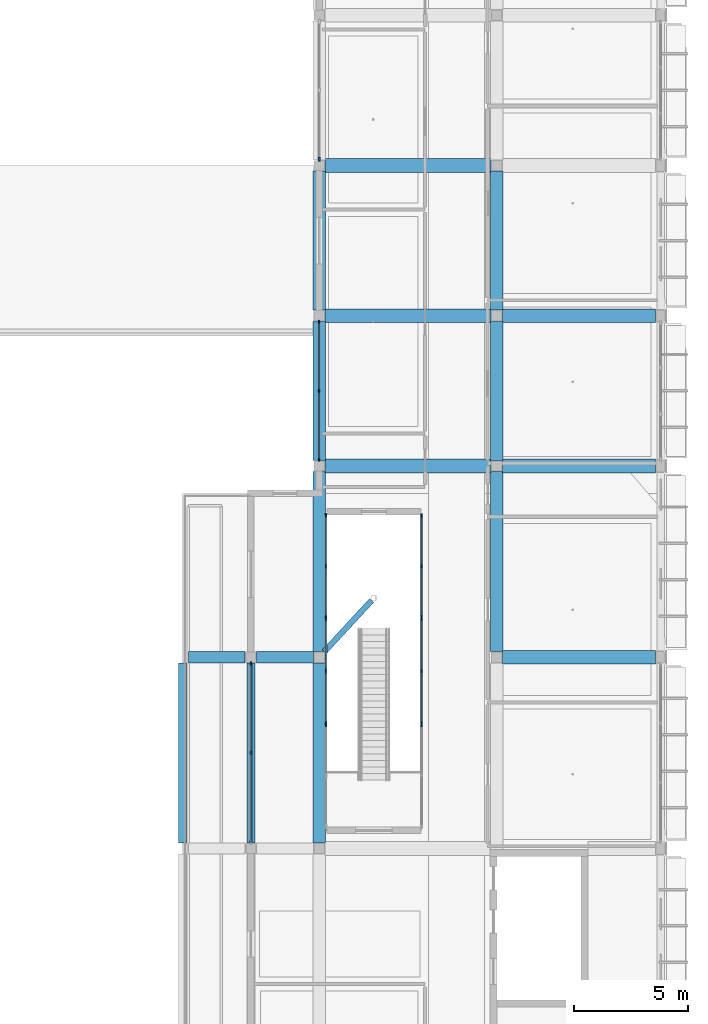
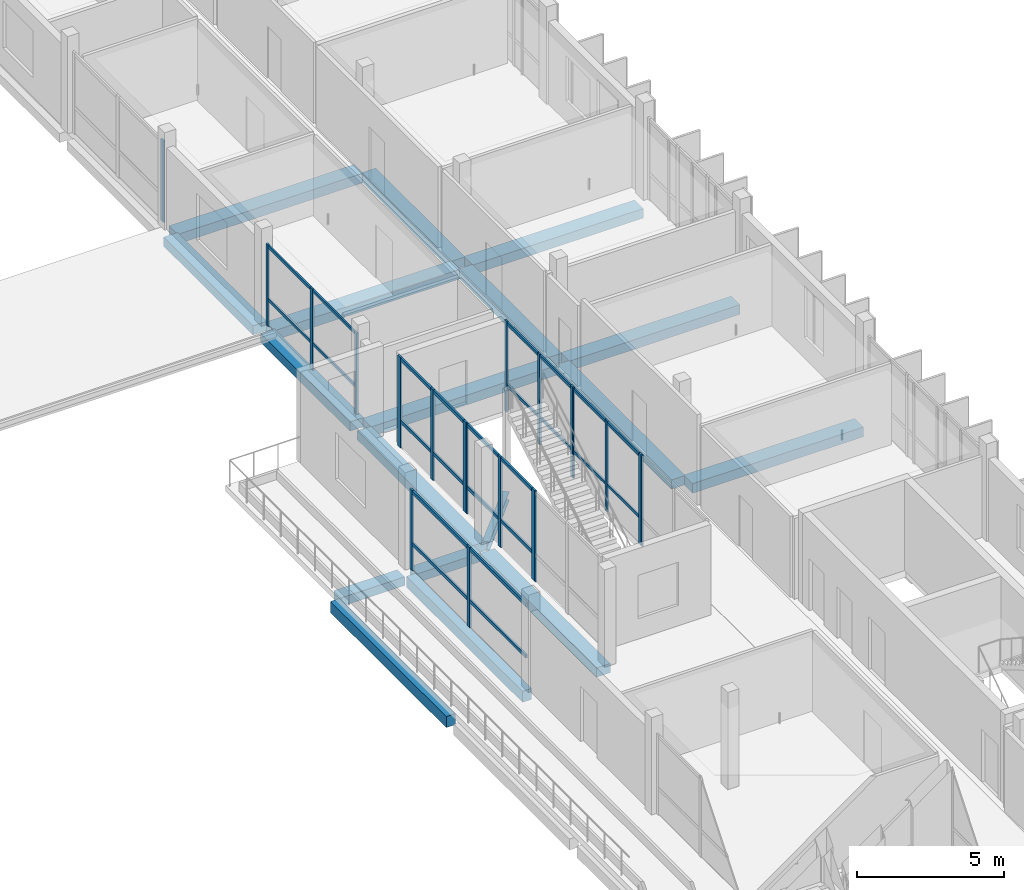
# One storey, part 35 of 86: 32 members, 18 beams, 9 elements without a shape of their own.
"""IFC4 building model written with IfcOpenShell, lengths in metres."""

from ifc_helpers import new_model, si_unit, derived_unit, direction, frame, origin, origin_2d, place, context, subcontext, project, spatial, rectangle, i_section, extrude, material, material_profile, profile_set, type_object, element, aggregate, save


model = new_model("IFC4")

# Units and contexts
model_context = context("Model", 3, precision=1e-05, world=origin(), true_north=direction((0.0, 1.0)))
body_context = subcontext(model_context, "Body", "Model", "MODEL_VIEW")
ifc_project = project(units=[si_unit("LENGTHUNIT", "METRE"), si_unit("AREAUNIT", "SQUARE_METRE"), si_unit("VOLUMEUNIT", "CUBIC_METRE"), si_unit("PLANEANGLEUNIT", "RADIAN"), si_unit("MASSUNIT", "GRAM", prefix="KILO"), derived_unit("THERMALTRANSMITTANCEUNIT", [(si_unit("POWERUNIT", "WATT"), 1), (si_unit("LENGTHUNIT", "METRE"), -2), (si_unit("THERMODYNAMICTEMPERATUREUNIT", "KELVIN"), -1)])], contexts=[model_context])

# Site, building, storey
site_placement = place(None, origin())
site = spatial("IfcSite", under=ifc_project, at=site_placement, CompositionType="ELEMENT")
building_placement = place(site_placement, origin())
building = spatial("IfcBuilding", under=site, at=building_placement, Name="Braskholm Square Health Centre", CompositionType="ELEMENT")
storey_placement = place(building_placement, frame((0.0, 0.0, 13.5)))
storey = spatial("IfcBuildingStorey", under=building, at=storey_placement, Name="L04", CompositionType="ELEMENT", Elevation=13.5)

# Curtain wall, members
ifc_material_1 = material(Name="Low-E triple insulating glass (VLT 0.64)", Category="glass")
curtain_wall_type_1 = type_object("IfcCurtainWallType", Name="UnitisedCurtainWall6200x3650", PredefinedType="NOTDEFINED", material=ifc_material_1)
curtain_wall_1_placement = place(storey_placement, origin())
curtain_wall_1 = element("IfcCurtainWall", 1, at=curtain_wall_1_placement, inside=storey, type_object=curtain_wall_type_1, Name="East Valley unitised curtain wall CW-L04-0134", PredefinedType="NOTDEFINED")
ifc_material_2 = material(Name="Architectural bronze anodised aluminium", Category="aluminium")
ifc_material_profile_1 = material_profile(ifc_material_2, rectangle(XDim=0.06494140625, YDim=0.14990234375, at=origin_2d()), Name="ALU-65X150")
ifc_profile_set_1 = profile_set([ifc_material_profile_1], Name="Architectural bronze anodised aluminium")
member_type_1 = type_object("IfcMemberType", Name="CurtainWallMullion65x150", PredefinedType="MULLION", material=ifc_profile_set_1)
member_1_placement = place(storey_placement, frame((148.800048828125, 86.92333984375, 0.0), z_axis=(0.0, 0.0, 1.0), x_axis=(1.0, 0.0, 0.0)))
member_1 = element("IfcMember", 2, at=member_1_placement, type_object=member_type_1, Name="CW-L04-0134 vertical mullion 1", PredefinedType="MULLION", context=body_context, shape_type="SweptSolid", body=[
    extrude(rectangle(XDim=0.06494140625, YDim=0.14990234375, at=origin_2d()), origin(), (0.0, 0.0, 1.0), 3.389892578125),
])
member_2_placement = place(storey_placement, frame((148.800048828125, 83.89990234375, 0.0), z_axis=(0.0, 0.0, 1.0), x_axis=(1.0, 0.0, 0.0)))
member_2 = element("IfcMember", 3, at=member_2_placement, type_object=member_type_1, Name="CW-L04-0134 vertical mullion 2", PredefinedType="MULLION", context=body_context, shape_type="SweptSolid", body=[
    extrude(rectangle(XDim=0.06494140625, YDim=0.14990234375, at=origin_2d()), origin(), (0.0, 0.0, 1.0), 3.389892578125),
])
member_3_placement = place(storey_placement, frame((148.800048828125, 80.876708984375, 0.0), z_axis=(0.0, 0.0, 1.0), x_axis=(1.0, 0.0, 0.0)))
member_3 = element("IfcMember", 4, at=member_3_placement, type_object=member_type_1, Name="CW-L04-0134 vertical mullion 3", PredefinedType="MULLION", context=body_context, shape_type="SweptSolid", body=[
    extrude(rectangle(XDim=0.06494140625, YDim=0.14990234375, at=origin_2d()), origin(), (0.0, 0.0, 1.0), 3.389892578125),
])

# Curtain wall, member
curtain_wall_type_2 = type_object("IfcCurtainWallType", Name="UnitisedCurtainWall4800x3800", PredefinedType="NOTDEFINED", material=ifc_material_1)
curtain_wall_2_placement = place(storey_placement, origin())
curtain_wall_2 = element("IfcCurtainWall", 5, at=curtain_wall_2_placement, inside=storey, type_object=curtain_wall_type_2, Name="EC2 Court E unitised curtain wall CW-L04-0370", PredefinedType="NOTDEFINED")
member_4_placement = place(storey_placement, frame((153.300048828125, 69.23486328125, 0.0), z_axis=(0.0, 0.0, 1.0), x_axis=(1.0, 0.0, 0.0)))
member_4 = element("IfcMember", 6, at=member_4_placement, type_object=member_type_1, Name="CW-L04-0370 vertical mullion 1", PredefinedType="MULLION", context=body_context, shape_type="SweptSolid", body=[
    extrude(rectangle(XDim=0.06494140625, YDim=0.14990234375, at=origin_2d()), origin(), (0.0, 0.0, 1.0), 3.77001953125),
])
aggregate(curtain_wall_2, [member_4])

# Curtain wall, members
curtain_wall_3_placement = place(storey_placement, origin())
curtain_wall_3 = element("IfcCurtainWall", 7, at=curtain_wall_3_placement, inside=storey, type_object=curtain_wall_type_2, Name="EC2 Court E unitised curtain wall CW-L04-0372", PredefinedType="NOTDEFINED")
member_5_placement = place(storey_placement, frame((153.300048828125, 73.900146484375, 0.0), z_axis=(0.0, 0.0, 1.0), x_axis=(1.0, 0.0, 0.0)))
member_5 = element("IfcMember", 8, at=member_5_placement, type_object=member_type_1, Name="CW-L04-0372 vertical mullion 1", PredefinedType="MULLION", context=body_context, shape_type="SweptSolid", body=[
    extrude(rectangle(XDim=0.06494140625, YDim=0.14990234375, at=origin_2d()), origin(), (0.0, 0.0, 1.0), 3.77001953125),
])
member_6_placement = place(storey_placement, frame((153.300048828125, 71.60009765625, 0.0), z_axis=(0.0, 0.0, 1.0), x_axis=(1.0, 0.0, 0.0)))
member_6 = element("IfcMember", 9, at=member_6_placement, type_object=member_type_1, Name="CW-L04-0372 vertical mullion 2", PredefinedType="MULLION", context=body_context, shape_type="SweptSolid", body=[
    extrude(rectangle(XDim=0.06494140625, YDim=0.14990234375, at=origin_2d()), origin(), (0.0, 0.0, 1.0), 3.77001953125),
])
member_7_placement = place(storey_placement, frame((153.300048828125, 69.2998046875, 0.0), z_axis=(0.0, 0.0, 1.0), x_axis=(1.0, 0.0, 0.0)))
member_7 = element("IfcMember", 10, at=member_7_placement, type_object=member_type_1, Name="CW-L04-0372 vertical mullion 3", PredefinedType="MULLION", context=body_context, shape_type="SweptSolid", body=[
    extrude(rectangle(XDim=0.06494140625, YDim=0.14990234375, at=origin_2d()), origin(), (0.0, 0.0, 1.0), 3.77001953125),
])

curtain_wall_4_placement = place(storey_placement, origin())
curtain_wall_4 = element("IfcCurtainWall", 11, at=curtain_wall_4_placement, inside=storey, type_object=curtain_wall_type_2, Name="EC2 Court E unitised curtain wall CW-L04-0374", PredefinedType="NOTDEFINED")
member_8_placement = place(storey_placement, frame((153.300048828125, 78.432861328125, 0.0), z_axis=(0.0, 0.0, 1.0), x_axis=(1.0, 0.0, 0.0)))
member_8 = element("IfcMember", 12, at=member_8_placement, type_object=member_type_1, Name="CW-L04-0374 vertical mullion 1", PredefinedType="MULLION", context=body_context, shape_type="SweptSolid", body=[
    extrude(rectangle(XDim=0.06494140625, YDim=0.14990234375, at=origin_2d()), origin(), (0.0, 0.0, 1.0), 3.77001953125),
])
member_9_placement = place(storey_placement, frame((153.300048828125, 76.198974609375, 0.0), z_axis=(0.0, 0.0, 1.0), x_axis=(1.0, 0.0, 0.0)))
member_9 = element("IfcMember", 13, at=member_9_placement, type_object=member_type_1, Name="CW-L04-0374 vertical mullion 2", PredefinedType="MULLION", context=body_context, shape_type="SweptSolid", body=[
    extrude(rectangle(XDim=0.06494140625, YDim=0.14990234375, at=origin_2d()), origin(), (0.0, 0.0, 1.0), 3.77001953125),
])
member_10_placement = place(storey_placement, frame((153.300048828125, 73.965087890625, 0.0), z_axis=(0.0, 0.0, 1.0), x_axis=(1.0, 0.0, 0.0)))
member_10 = element("IfcMember", 14, at=member_10_placement, type_object=member_type_1, Name="CW-L04-0374 vertical mullion 3", PredefinedType="MULLION", context=body_context, shape_type="SweptSolid", body=[
    extrude(rectangle(XDim=0.06494140625, YDim=0.14990234375, at=origin_2d()), origin(), (0.0, 0.0, 1.0), 3.77001953125),
])

curtain_wall_5_placement = place(storey_placement, origin())
curtain_wall_5 = element("IfcCurtainWall", 15, at=curtain_wall_5_placement, inside=storey, type_object=curtain_wall_type_1, Name="East Valley unitised curtain wall CW-L04-0133", PredefinedType="NOTDEFINED")
ifc_material_profile_2 = material_profile(ifc_material_2, rectangle(XDim=0.074951171875, YDim=0.179931640625, at=origin_2d()), Name="ALU-75X180")
ifc_profile_set_2 = profile_set([ifc_material_profile_2], Name="Architectural bronze anodised aluminium")
member_type_2 = type_object("IfcMemberType", Name="CurtainWallMullion75x180", PredefinedType="MULLION", material=ifc_profile_set_2)
member_11_placement = place(storey_placement, frame((145.800048828125, 71.91259765625, 0.0), z_axis=(0.0, 0.0, 1.0), x_axis=(1.0, 0.0, 0.0)))
member_11 = element("IfcMember", 16, at=member_11_placement, type_object=member_type_2, Name="CW-L04-0133 vertical mullion 1", PredefinedType="MULLION", context=body_context, shape_type="SweptSolid", body=[
    extrude(rectangle(XDim=0.074951171875, YDim=0.179931640625, at=origin_2d()), origin(), (0.0, 0.0, 1.0), 3.340087890625),
])
member_12_placement = place(storey_placement, frame((145.800048828125, 68.0, 0.0), z_axis=(0.0, 0.0, 1.0), x_axis=(1.0, 0.0, 0.0)))
member_12 = element("IfcMember", 17, at=member_12_placement, type_object=member_type_2, Name="CW-L04-0133 vertical mullion 2", PredefinedType="MULLION", context=body_context, shape_type="SweptSolid", body=[
    extrude(rectangle(XDim=0.074951171875, YDim=0.179931640625, at=origin_2d()), origin(), (0.0, 0.0, 1.0), 3.340087890625),
])

# Curtain wall, member
curtain_wall_6_placement = place(storey_placement, origin())
curtain_wall_6 = element("IfcCurtainWall", 18, at=curtain_wall_6_placement, inside=storey, type_object=curtain_wall_type_1, Name="East Valley unitised curtain wall CW-L04-0135", PredefinedType="NOTDEFINED")
member_13_placement = place(storey_placement, frame((148.800048828125, 94.07666015625, 0.0), z_axis=(0.0, 0.0, 1.0), x_axis=(1.0, 0.0, 0.0)))
member_13 = element("IfcMember", 19, at=member_13_placement, type_object=member_type_2, Name="CW-L04-0135 vertical mullion 3", PredefinedType="MULLION", context=body_context, shape_type="SweptSolid", body=[
    extrude(rectangle(XDim=0.074951171875, YDim=0.179931640625, at=origin_2d()), origin(), (0.0, 0.0, 1.0), 3.389892578125),
])
aggregate(curtain_wall_6, [member_13])

curtain_wall_7_placement = place(storey_placement, origin())
curtain_wall_7 = element("IfcCurtainWall", 20, at=curtain_wall_7_placement, inside=storey, type_object=curtain_wall_type_2, Name="EC2 Court W unitised curtain wall CW-L04-0369", PredefinedType="NOTDEFINED")
member_14_placement = place(storey_placement, frame((149.10009765625, 69.23486328125, 0.0), z_axis=(0.0, 0.0, 1.0), x_axis=(1.0, 0.0, 0.0)))
member_14 = element("IfcMember", 21, at=member_14_placement, type_object=member_type_2, Name="CW-L04-0369 vertical mullion 3", PredefinedType="MULLION", context=body_context, shape_type="SweptSolid", body=[
    extrude(rectangle(XDim=0.074951171875, YDim=0.179931640625, at=origin_2d()), origin(), (0.0, 0.0, 1.0), 3.77001953125),
])
aggregate(curtain_wall_7, [member_14])

# Curtain wall, members
curtain_wall_8_placement = place(storey_placement, origin())
curtain_wall_8 = element("IfcCurtainWall", 22, at=curtain_wall_8_placement, inside=storey, type_object=curtain_wall_type_2, Name="EC2 Court W unitised curtain wall CW-L04-0371", PredefinedType="NOTDEFINED")
member_15_placement = place(storey_placement, frame((149.10009765625, 69.2998046875, 0.0), z_axis=(0.0, 0.0, 1.0), x_axis=(1.0, 0.0, 0.0)))
member_15 = element("IfcMember", 23, at=member_15_placement, type_object=member_type_2, Name="CW-L04-0371 vertical mullion 1", PredefinedType="MULLION", context=body_context, shape_type="SweptSolid", body=[
    extrude(rectangle(XDim=0.074951171875, YDim=0.179931640625, at=origin_2d()), origin(), (0.0, 0.0, 1.0), 3.77001953125),
])
member_16_placement = place(storey_placement, frame((149.10009765625, 71.60009765625, 0.0), z_axis=(0.0, 0.0, 1.0), x_axis=(1.0, 0.0, 0.0)))
member_16 = element("IfcMember", 24, at=member_16_placement, type_object=member_type_2, Name="CW-L04-0371 vertical mullion 2", PredefinedType="MULLION", context=body_context, shape_type="SweptSolid", body=[
    extrude(rectangle(XDim=0.074951171875, YDim=0.179931640625, at=origin_2d()), origin(), (0.0, 0.0, 1.0), 3.77001953125),
])
member_17_placement = place(storey_placement, frame((149.10009765625, 73.900146484375, 0.0), z_axis=(0.0, 0.0, 1.0), x_axis=(1.0, 0.0, 0.0)))
member_17 = element("IfcMember", 25, at=member_17_placement, type_object=member_type_2, Name="CW-L04-0371 vertical mullion 3", PredefinedType="MULLION", context=body_context, shape_type="SweptSolid", body=[
    extrude(rectangle(XDim=0.074951171875, YDim=0.179931640625, at=origin_2d()), origin(), (0.0, 0.0, 1.0), 3.77001953125),
])

curtain_wall_9_placement = place(storey_placement, origin())
curtain_wall_9 = element("IfcCurtainWall", 26, at=curtain_wall_9_placement, inside=storey, type_object=curtain_wall_type_2, Name="EC2 Court W unitised curtain wall CW-L04-0373", PredefinedType="NOTDEFINED")
member_18_placement = place(storey_placement, frame((149.10009765625, 73.965087890625, 0.0), z_axis=(0.0, 0.0, 1.0), x_axis=(1.0, 0.0, 0.0)))
member_18 = element("IfcMember", 27, at=member_18_placement, type_object=member_type_2, Name="CW-L04-0373 vertical mullion 1", PredefinedType="MULLION", context=body_context, shape_type="SweptSolid", body=[
    extrude(rectangle(XDim=0.074951171875, YDim=0.179931640625, at=origin_2d()), origin(), (0.0, 0.0, 1.0), 3.77001953125),
])
member_19_placement = place(storey_placement, frame((149.10009765625, 76.198974609375, 0.0), z_axis=(0.0, 0.0, 1.0), x_axis=(1.0, 0.0, 0.0)))
member_19 = element("IfcMember", 28, at=member_19_placement, type_object=member_type_2, Name="CW-L04-0373 vertical mullion 2", PredefinedType="MULLION", context=body_context, shape_type="SweptSolid", body=[
    extrude(rectangle(XDim=0.074951171875, YDim=0.179931640625, at=origin_2d()), origin(), (0.0, 0.0, 1.0), 3.77001953125),
])
member_20_placement = place(storey_placement, frame((149.10009765625, 78.432861328125, 0.0), z_axis=(0.0, 0.0, 1.0), x_axis=(1.0, 0.0, 0.0)))
member_20 = element("IfcMember", 29, at=member_20_placement, type_object=member_type_2, Name="CW-L04-0373 vertical mullion 3", PredefinedType="MULLION", context=body_context, shape_type="SweptSolid", body=[
    extrude(rectangle(XDim=0.074951171875, YDim=0.179931640625, at=origin_2d()), origin(), (0.0, 0.0, 1.0), 3.77001953125),
])

# Member
ifc_material_profile_3 = material_profile(ifc_material_2, rectangle(XDim=0.06494140625, YDim=0.1201171875, at=origin_2d()), Name="ALU-65X120")
ifc_profile_set_3 = profile_set([ifc_material_profile_3], Name="Architectural bronze anodised aluminium")
member_type_3 = type_object("IfcMemberType", Name="CurtainWallTransom65x120", PredefinedType="USERDEFINED", material=ifc_profile_set_3)
member_21_placement = place(storey_placement, frame((148.800048828125, 86.9150390625, 1.1201171875), z_axis=(0.0, -1.0, 0.0), x_axis=(1.0, 0.0, 0.0)))
member_21 = element("IfcMember", 30, at=member_21_placement, type_object=member_type_3, Name="CW-L04-0134 horizontal transom 1", ObjectType="TRANSOM", PredefinedType="USERDEFINED", context=body_context, shape_type="SweptSolid", body=[
    extrude(rectangle(XDim=0.06494140625, YDim=0.1201171875, at=origin_2d()), origin(), (0.0, 0.0, 1.0), 6.030029296875),
])

member_22_placement = place(storey_placement, frame((148.800048828125, 86.9150390625, 3.320068359375), z_axis=(0.0, -1.0, 0.0), x_axis=(1.0, 0.0, 0.0)))
member_22 = element("IfcMember", 31, at=member_22_placement, type_object=member_type_3, Name="CW-L04-0134 horizontal transom 2", ObjectType="TRANSOM", PredefinedType="USERDEFINED", context=body_context, shape_type="SweptSolid", body=[
    extrude(rectangle(XDim=0.06494140625, YDim=0.1201171875, at=origin_2d()), origin(), (0.0, 0.0, 1.0), 6.030029296875),
])

aggregate(curtain_wall_1, [member_1, member_2, member_3, member_21, member_22])

member_23_placement = place(storey_placement, frame((153.300048828125, 73.883056640625, 1.1201171875), z_axis=(0.0, -1.0, 0.0), x_axis=(1.0, 0.0, 0.0)))
member_23 = element("IfcMember", 32, at=member_23_placement, type_object=member_type_3, Name="CW-L04-0372 horizontal transom 1", ObjectType="TRANSOM", PredefinedType="USERDEFINED", context=body_context, shape_type="SweptSolid", body=[
    extrude(rectangle(XDim=0.06494140625, YDim=0.1201171875, at=origin_2d()), origin(), (0.0, 0.0, 1.0), 4.566162109375),
])

member_24_placement = place(storey_placement, frame((153.300048828125, 73.883056640625, 3.699951171875), z_axis=(0.0, -1.0, 0.0), x_axis=(1.0, 0.0, 0.0)))
member_24 = element("IfcMember", 33, at=member_24_placement, type_object=member_type_3, Name="CW-L04-0372 horizontal transom 2", ObjectType="TRANSOM", PredefinedType="USERDEFINED", context=body_context, shape_type="SweptSolid", body=[
    extrude(rectangle(XDim=0.06494140625, YDim=0.1201171875, at=origin_2d()), origin(), (0.0, 0.0, 1.0), 4.566162109375),
])

aggregate(curtain_wall_3, [member_5, member_6, member_7, member_23, member_24])

member_25_placement = place(storey_placement, frame((153.300048828125, 78.4150390625, 1.1201171875), z_axis=(0.0, -1.0, 0.0), x_axis=(1.0, 0.0, 0.0)))
member_25 = element("IfcMember", 34, at=member_25_placement, type_object=member_type_3, Name="CW-L04-0374 horizontal transom 1", ObjectType="TRANSOM", PredefinedType="USERDEFINED", context=body_context, shape_type="SweptSolid", body=[
    extrude(rectangle(XDim=0.06494140625, YDim=0.1201171875, at=origin_2d()), origin(), (0.0, 0.0, 1.0), 4.43212890625),
])

member_26_placement = place(storey_placement, frame((153.300048828125, 78.4150390625, 3.699951171875), z_axis=(0.0, -1.0, 0.0), x_axis=(1.0, 0.0, 0.0)))
member_26 = element("IfcMember", 35, at=member_26_placement, type_object=member_type_3, Name="CW-L04-0374 horizontal transom 2", ObjectType="TRANSOM", PredefinedType="USERDEFINED", context=body_context, shape_type="SweptSolid", body=[
    extrude(rectangle(XDim=0.06494140625, YDim=0.1201171875, at=origin_2d()), origin(), (0.0, 0.0, 1.0), 4.43212890625),
])

aggregate(curtain_wall_4, [member_8, member_9, member_10, member_25, member_26])

ifc_material_profile_4 = material_profile(ifc_material_2, rectangle(XDim=0.074951171875, YDim=0.139892578125, at=origin_2d()), Name="ALU-75X140")
ifc_profile_set_4 = profile_set([ifc_material_profile_4], Name="Architectural bronze anodised aluminium")
member_type_4 = type_object("IfcMemberType", Name="CurtainWallTransom75x140", PredefinedType="USERDEFINED", material=ifc_profile_set_4)
member_27_placement = place(storey_placement, frame((145.800048828125, 71.9150390625, 1.1201171875), z_axis=(0.0, -1.0, 0.0), x_axis=(1.0, 0.0, 0.0)))
member_27 = element("IfcMember", 36, at=member_27_placement, type_object=member_type_4, Name="CW-L04-0133 horizontal transom 1", ObjectType="TRANSOM", PredefinedType="USERDEFINED", context=body_context, shape_type="SweptSolid", body=[
    extrude(rectangle(XDim=0.074951171875, YDim=0.139892578125, at=origin_2d()), origin(), (0.0, 0.0, 1.0), 7.830078125),
])

member_28_placement = place(storey_placement, frame((145.800048828125, 71.9150390625, 3.27001953125), z_axis=(0.0, -1.0, 0.0), x_axis=(1.0, 0.0, 0.0)))
member_28 = element("IfcMember", 37, at=member_28_placement, type_object=member_type_4, Name="CW-L04-0133 horizontal transom 2", ObjectType="TRANSOM", PredefinedType="USERDEFINED", context=body_context, shape_type="SweptSolid", body=[
    extrude(rectangle(XDim=0.074951171875, YDim=0.139892578125, at=origin_2d()), origin(), (0.0, 0.0, 1.0), 7.830078125),
])

aggregate(curtain_wall_5, [member_11, member_12, member_27, member_28])

member_29_placement = place(storey_placement, frame((149.10009765625, 69.31689453125, 1.1201171875), z_axis=(0.0, 1.0, 0.0), x_axis=(-1.0, 0.0, 0.0)))
member_29 = element("IfcMember", 38, at=member_29_placement, type_object=member_type_4, Name="CW-L04-0371 horizontal transom 1", ObjectType="TRANSOM", PredefinedType="USERDEFINED", context=body_context, shape_type="SweptSolid", body=[
    extrude(rectangle(XDim=0.074951171875, YDim=0.139892578125, at=origin_2d()), origin(), (0.0, 0.0, 1.0), 4.566162109375),
])

member_30_placement = place(storey_placement, frame((149.10009765625, 69.31689453125, 3.699951171875), z_axis=(0.0, 1.0, 0.0), x_axis=(-1.0, 0.0, 0.0)))
member_30 = element("IfcMember", 39, at=member_30_placement, type_object=member_type_4, Name="CW-L04-0371 horizontal transom 2", ObjectType="TRANSOM", PredefinedType="USERDEFINED", context=body_context, shape_type="SweptSolid", body=[
    extrude(rectangle(XDim=0.074951171875, YDim=0.139892578125, at=origin_2d()), origin(), (0.0, 0.0, 1.0), 4.566162109375),
])

aggregate(curtain_wall_8, [member_15, member_16, member_17, member_29, member_30])

member_31_placement = place(storey_placement, frame((149.10009765625, 73.98291015625, 1.1201171875), z_axis=(0.0, 1.0, 0.0), x_axis=(-1.0, 0.0, 0.0)))
member_31 = element("IfcMember", 40, at=member_31_placement, type_object=member_type_4, Name="CW-L04-0373 horizontal transom 1", ObjectType="TRANSOM", PredefinedType="USERDEFINED", context=body_context, shape_type="SweptSolid", body=[
    extrude(rectangle(XDim=0.074951171875, YDim=0.139892578125, at=origin_2d()), origin(), (0.0, 0.0, 1.0), 4.43212890625),
])

member_32_placement = place(storey_placement, frame((149.10009765625, 73.98291015625, 3.699951171875), z_axis=(0.0, 1.0, 0.0), x_axis=(-1.0, 0.0, 0.0)))
member_32 = element("IfcMember", 41, at=member_32_placement, type_object=member_type_4, Name="CW-L04-0373 horizontal transom 2", ObjectType="TRANSOM", PredefinedType="USERDEFINED", context=body_context, shape_type="SweptSolid", body=[
    extrude(rectangle(XDim=0.074951171875, YDim=0.139892578125, at=origin_2d()), origin(), (0.0, 0.0, 1.0), 4.43212890625),
])

aggregate(curtain_wall_9, [member_18, member_19, member_20, member_31, member_32])

# Beams
ifc_material_3 = material(Name="Concrete C35/45 (f'c = 35 MPa)", Category="concrete")
ifc_material_profile_5 = material_profile(ifc_material_3, rectangle(XDim=0.5, YDim=0.360107421875, at=origin_2d()), Name="RCB-500X360")
ifc_profile_set_5 = profile_set([ifc_material_profile_5], Name="Concrete C35/45 (f'c = 35 MPa)")
beam_type_1 = type_object("IfcBeamType", Name="PrimaryBandBeam500x360", PredefinedType="BEAM", material=ifc_profile_set_5)
for number, where, z_axis, x_axis, name in (
    (42, (143.050048828125, 72.199951171875, -0.429931640625), (1.0, 0.0, 0.0), (0.0, 1.0, 0.0), "Beam 18-19/L L04"),
    (43, (146.050048828125, 72.199951171875, -0.47998046875), (1.0, 0.0, 0.0), (0.0, 1.0, 0.0), "Beam 19-20/L L04"),
):
    element("IfcBeam", number, at=place(storey_placement, frame(where, z_axis=z_axis, x_axis=x_axis)), inside=storey, type_object=beam_type_1, Name=name, PredefinedType="BEAM", context=body_context, shape_type="SweptSolid", body=[
        extrude(rectangle(XDim=0.5, YDim=0.360107421875, at=origin_2d()), origin(), (0.0, 0.0, 1.0), 2.5),
    ])
ifc_material_profile_6 = material_profile(ifc_material_3, rectangle(XDim=0.550048828125, YDim=0.3798828125, at=origin_2d()), Name="RCB-550X380")
ifc_profile_set_6 = profile_set([ifc_material_profile_6], Name="Concrete C35/45 (f'c = 35 MPa)")
beam_type_2 = type_object("IfcBeamType", Name="PrimaryBandBeam550x380", PredefinedType="BEAM", material=ifc_profile_set_6)
beam_1_placement = place(storey_placement, frame((148.800048828125, 64.050048828125, -0.489990234375), z_axis=(0.0, 1.0, 0.0), x_axis=(-1.0, 0.0, 0.0)))
element("IfcBeam", 44, at=beam_1_placement, inside=storey, type_object=beam_type_2, Name="Beam 20/K-L L04", PredefinedType="BEAM", context=body_context, shape_type="SweptSolid", body=[
    extrude(rectangle(XDim=0.550048828125, YDim=0.3798828125, at=origin_2d()), origin(), (0.0, 0.0, 1.0), 7.89990234375),
])
beam_2_placement = place(storey_placement, frame((148.800048828125, 72.449951171875, -0.489990234375), z_axis=(0.0, 1.0, 0.0), x_axis=(-1.0, 0.0, 0.0)))
element("IfcBeam", 45, at=beam_2_placement, inside=storey, type_object=beam_type_2, Name="Beam 20/L-M L04", PredefinedType="BEAM", context=body_context, shape_type="SweptSolid", body=[
    extrude(rectangle(XDim=0.550048828125, YDim=0.3798828125, at=origin_2d()), origin(), (0.0, 0.0, 1.0), 7.900146484375),
])
beam_3_placement = place(storey_placement, frame((148.800048828125, 80.85009765625, -0.43994140625), z_axis=(0.0, 1.0, 0.0), x_axis=(-1.0, 0.0, 0.0)))
element("IfcBeam", 46, at=beam_3_placement, inside=storey, type_object=beam_type_2, Name="Beam 20/M-N L04", PredefinedType="BEAM", context=body_context, shape_type="SweptSolid", body=[
    extrude(rectangle(XDim=0.550048828125, YDim=0.3798828125, at=origin_2d()), origin(), (0.0, 0.0, 1.0), 6.099853515625),
])
beam_4_placement = place(storey_placement, frame((148.800048828125, 87.449951171875, -0.43994140625), z_axis=(0.0, 1.0, 0.0), x_axis=(-1.0, 0.0, 0.0)))
element("IfcBeam", 47, at=beam_4_placement, inside=storey, type_object=beam_type_2, Name="Beam 20/N-P L04", PredefinedType="BEAM", context=body_context, shape_type="SweptSolid", body=[
    extrude(rectangle(XDim=0.550048828125, YDim=0.3798828125, at=origin_2d()), origin(), (0.0, 0.0, 1.0), 6.10009765625),
])
beam_5_placement = place(storey_placement, frame((156.60009765625, 72.449951171875, -0.489990234375), z_axis=(0.0, 1.0, 0.0), x_axis=(-1.0, 0.0, 0.0)))
element("IfcBeam", 48, at=beam_5_placement, inside=storey, type_object=beam_type_2, Name="Beam 21/L-M L04", PredefinedType="BEAM", context=body_context, shape_type="SweptSolid", body=[
    extrude(rectangle(XDim=0.550048828125, YDim=0.3798828125, at=origin_2d()), origin(), (0.0, 0.0, 1.0), 7.900146484375),
])
beam_6_placement = place(storey_placement, frame((156.60009765625, 80.85009765625, -0.489990234375), z_axis=(0.0, 1.0, 0.0), x_axis=(-1.0, 0.0, 0.0)))
element("IfcBeam", 49, at=beam_6_placement, inside=storey, type_object=beam_type_2, Name="Beam 21/M-N L04", PredefinedType="BEAM", context=body_context, shape_type="SweptSolid", body=[
    extrude(rectangle(XDim=0.550048828125, YDim=0.3798828125, at=origin_2d()), origin(), (0.0, 0.0, 1.0), 6.099853515625),
])
beam_7_placement = place(storey_placement, frame((156.60009765625, 87.449951171875, -0.489990234375), z_axis=(0.0, 1.0, 0.0), x_axis=(-1.0, 0.0, 0.0)))
element("IfcBeam", 50, at=beam_7_placement, inside=storey, type_object=beam_type_2, Name="Beam 21/N-P L04", PredefinedType="BEAM", context=body_context, shape_type="SweptSolid", body=[
    extrude(rectangle(XDim=0.550048828125, YDim=0.3798828125, at=origin_2d()), origin(), (0.0, 0.0, 1.0), 6.10009765625),
])
ifc_material_profile_7 = material_profile(ifc_material_3, rectangle(XDim=0.60009765625, YDim=0.39990234375, at=origin_2d()), Name="RCB-600X400")
ifc_profile_set_7 = profile_set([ifc_material_profile_7], Name="Concrete C35/45 (f'c = 35 MPa)")
beam_type_3 = type_object("IfcBeamType", Name="PrimaryBandBeam600x400", PredefinedType="BEAM", material=ifc_profile_set_7)
beam_8_placement = place(storey_placement, frame((156.85009765625, 72.199951171875, -0.5), z_axis=(1.0, 0.0, 0.0), x_axis=(0.0, 1.0, 0.0)))
element("IfcBeam", 51, at=beam_8_placement, inside=storey, type_object=beam_type_3, Name="Beam 21-22/L L04", PredefinedType="BEAM", context=body_context, shape_type="SweptSolid", body=[
    extrude(rectangle(XDim=0.60009765625, YDim=0.39990234375, at=origin_2d()), origin(), (0.0, 0.0, 1.0), 6.719970703125),
])
beam_9_placement = place(storey_placement, frame((149.050048828125, 80.60009765625, -0.5), z_axis=(1.0, 0.0, 0.0), x_axis=(0.0, 1.0, 0.0)))
element("IfcBeam", 52, at=beam_9_placement, inside=storey, type_object=beam_type_3, Name="Beam 20-21/M L04", PredefinedType="BEAM", context=body_context, shape_type="SweptSolid", body=[
    extrude(rectangle(XDim=0.60009765625, YDim=0.39990234375, at=origin_2d()), origin(), (0.0, 0.0, 1.0), 7.300048828125),
])
beam_10_placement = place(storey_placement, frame((156.85009765625, 80.60009765625, -0.5), z_axis=(1.0, 0.0, 0.0), x_axis=(0.0, 1.0, 0.0)))
element("IfcBeam", 53, at=beam_10_placement, inside=storey, type_object=beam_type_3, Name="Beam 21-22/M L04", PredefinedType="BEAM", context=body_context, shape_type="SweptSolid", body=[
    extrude(rectangle(XDim=0.60009765625, YDim=0.39990234375, at=origin_2d()), origin(), (0.0, 0.0, 1.0), 6.719970703125),
])
beam_11_placement = place(storey_placement, frame((149.050048828125, 87.199951171875, -0.5), z_axis=(1.0, 0.0, 0.0), x_axis=(0.0, 1.0, 0.0)))
element("IfcBeam", 54, at=beam_11_placement, inside=storey, type_object=beam_type_3, Name="Beam 20-21/N L04", PredefinedType="BEAM", context=body_context, shape_type="SweptSolid", body=[
    extrude(rectangle(XDim=0.60009765625, YDim=0.39990234375, at=origin_2d()), origin(), (0.0, 0.0, 1.0), 7.300048828125),
])
beam_12_placement = place(storey_placement, frame((156.85009765625, 87.199951171875, -0.5), z_axis=(1.0, 0.0, 0.0), x_axis=(0.0, 1.0, 0.0)))
element("IfcBeam", 55, at=beam_12_placement, inside=storey, type_object=beam_type_3, Name="Beam 21-22/N L04", PredefinedType="BEAM", context=body_context, shape_type="SweptSolid", body=[
    extrude(rectangle(XDim=0.60009765625, YDim=0.39990234375, at=origin_2d()), origin(), (0.0, 0.0, 1.0), 6.719970703125),
])
beam_13_placement = place(storey_placement, frame((149.050048828125, 93.800048828125, -0.5), z_axis=(1.0, 0.0, 0.0), x_axis=(0.0, 1.0, 0.0)))
element("IfcBeam", 56, at=beam_13_placement, inside=storey, type_object=beam_type_3, Name="Beam 20-21/P L04", PredefinedType="BEAM", context=body_context, shape_type="SweptSolid", body=[
    extrude(rectangle(XDim=0.60009765625, YDim=0.39990234375, at=origin_2d()), origin(), (0.0, 0.0, 1.0), 7.300048828125),
])
ifc_material_4 = material(Name="Precast concrete C40/50 architectural white", Category="concrete")
ifc_material_profile_8 = material_profile(ifc_material_4, rectangle(XDim=0.360107421875, YDim=0.4599609375, at=origin_2d()), Name="RCB-360X460")
ifc_profile_set_8 = profile_set([ifc_material_profile_8], Name="Precast concrete C40/50 architectural white")
beam_type_4 = type_object("IfcBeamType", Name="SpandrelTerraceEdge360x460", PredefinedType="SPANDREL", material=ifc_profile_set_8)
for number, where, z_axis, x_axis, name in (
    (57, (142.800048828125, 64.050048828125, -0.47998046875), (0.0, 1.0, 0.0), (-1.0, 0.0, 0.0), "Beam 18/K-L L04"),
    (58, (145.800048828125, 64.050048828125, -0.47998046875), (0.0, 1.0, 0.0), (-1.0, 0.0, 0.0), "Beam 19/K-L L04"),
):
    element("IfcBeam", number, at=place(storey_placement, frame(where, z_axis=z_axis, x_axis=x_axis)), inside=storey, type_object=beam_type_4, Name=name, PredefinedType="SPANDREL", context=body_context, shape_type="SweptSolid", body=[
        extrude(rectangle(XDim=0.360107421875, YDim=0.4599609375, at=origin_2d()), origin(), (0.0, 0.0, 1.0), 7.89990234375),
    ])
ifc_material_5 = material(Name="Steel ASTM A992 Grade 50", Category="steel")
ifc_material_profile_9 = material_profile(ifc_material_5, i_section(OverallWidth=0.2548828125, OverallDepth=0.35693359375, WebThickness=0.010498046875, FlangeThickness=0.018310546875, at=origin_2d()), Name="W14X68")
ifc_profile_set_9 = profile_set([ifc_material_profile_9], Name="Steel ASTM A992 Grade 50")
beam_type_5 = type_object("IfcBeamType", Name="SteelBeamCanopyW14X68", PredefinedType="BEAM", material=ifc_profile_set_9)
beam_14_placement = place(storey_placement, frame((151.107666015625, 74.699951171875, -0.478515625), z_axis=(-0.678296649058, -0.734788170752, 0.0), x_axis=(0.734788170752, -0.678296649058, 0.0)))
element("IfcBeam", 59, at=beam_14_placement, inside=storey, type_object=beam_type_5, Name="Tie beam CS3F L04", PredefinedType="BEAM", context=body_context, shape_type="SweptSolid", body=[
    extrude(i_section(OverallWidth=0.2548828125, OverallDepth=0.35693359375, WebThickness=0.010498046875, FlangeThickness=0.018310546875, at=origin_2d()), origin(), (0.0, 0.0, 1.0), 3.064208984375),
])

save(model, "model.ifc")
